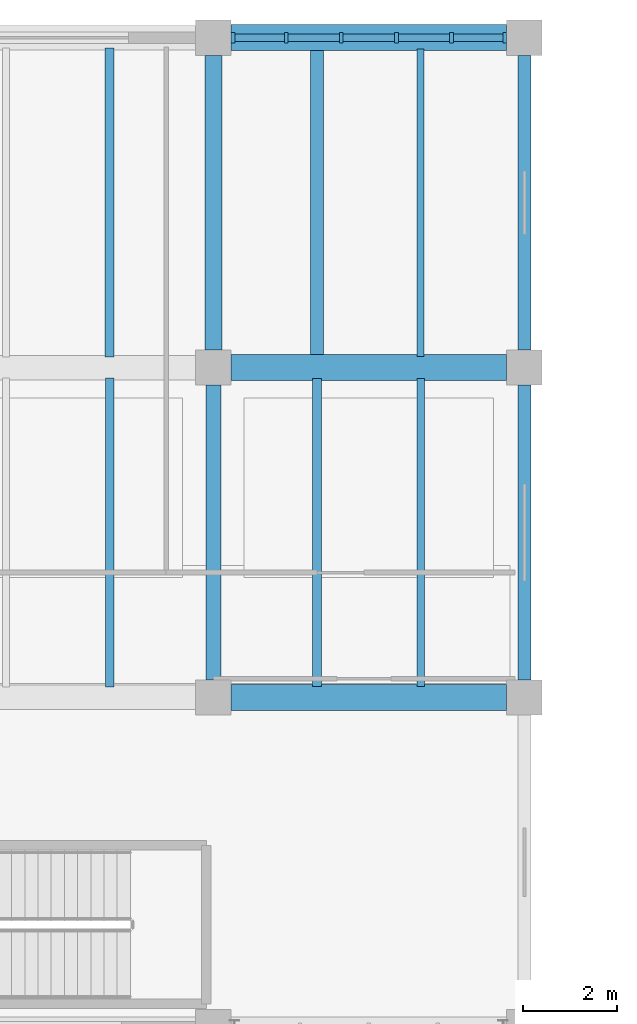
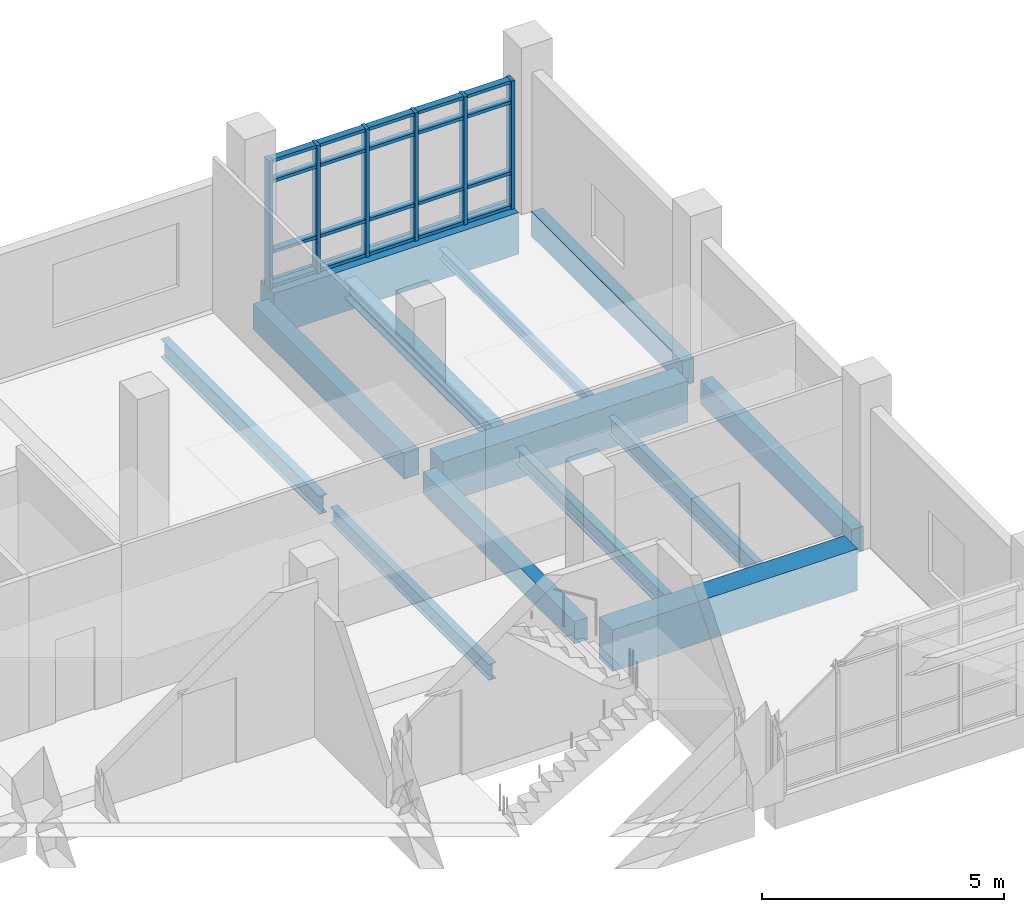
# One storey, part 61 of 92: 26 members, 13 beams, 1 element without a shape of its own.
"""IFC4 building model written with IfcOpenShell, lengths in metres."""

import ifcopenshell
import ifcopenshell.guid

model = None  # the IFC model being written
_history = None  # IfcOwnerHistory: only IFC2X3 demands one
_inside = {}  # id of a spatial element -> (the spatial element, [elements in it])
_under = {}  # id of a project, library or spatial element -> (it, [spatial elements below it])
_declared = {}  # id of a project -> (the project, [libraries it declares])
_typed = {}  # id of a type object -> (the type object, [elements of that type])
_made_of = {}  # id of a material, layer set ... -> (it, [elements and type objects made of it])


def new_model(schema):
    """Start an empty IFC model of exactly this schema.

    Asked for "IFC4X3", IfcOpenShell would pick the latest addendum, in which some entities
    have other attributes; the version numbers below select the first issue.
    IFC2X3 requires an IfcOwnerHistory on every rooted entity: one is made here for all.
    """
    global model, _history
    if schema == "IFC4X3":
        model = ifcopenshell.file(schema_version=(4, 3, 0, 0))
    else:
        model = ifcopenshell.file(schema=schema)
    _inside.clear()
    _under.clear()
    _declared.clear()
    _typed.clear()
    _made_of.clear()
    _history = None
    if model.schema == "IFC2X3":
        org = make("IfcOrganization", Name="unknown")
        user = make(
            "IfcPersonAndOrganization",
            ThePerson=make("IfcPerson", FamilyName="unknown"),
            TheOrganization=org,
        )
        app = make(
            "IfcApplication",
            ApplicationDeveloper=org,
            Version="unknown",
            ApplicationFullName="unknown",
            ApplicationIdentifier="unknown",
        )
        _history = make(
            "IfcOwnerHistory",
            OwningUser=user,
            OwningApplication=app,
            ChangeAction="ADDED",
            CreationDate=0,
        )
    return model


def make(cls, **values):
    """One entity of the class cls with the attributes given. An attribute that is None is left unset."""
    return model.create_entity(
        cls, **{name: value for name, value in values.items() if value is not None}
    )


def rooted(cls, **values):
    """An entity with a GlobalId (a new one), such as an element, a storey or a relation."""
    return make(cls, GlobalId=ifcopenshell.guid.new(), OwnerHistory=_history, **values)


def si_unit(unit_type, name, prefix=None):
    """IfcSIUnit, for example si_unit("LENGTHUNIT", "METRE", prefix="MILLI")."""
    return make("IfcSIUnit", UnitType=unit_type, Prefix=prefix, Name=name)


def assignment(units):
    """IfcUnitAssignment: the units of a project."""
    return None if units is None else make("IfcUnitAssignment", Units=units)


def point(xyz):
    """IfcCartesianPoint."""
    return None if xyz is None else make("IfcCartesianPoint", Coordinates=xyz)


def direction(xyz):
    """IfcDirection."""
    return None if xyz is None else make("IfcDirection", DirectionRatios=xyz)


def frame(location, z_axis=None, x_axis=None):
    """IfcAxis2Placement3D, a coordinate frame: its origin and axes. An axis left out is left unset."""
    return make(
        "IfcAxis2Placement3D",
        Location=point(location),
        Axis=direction(z_axis),
        RefDirection=direction(x_axis),
    )


def frame_2d(location, x_axis=None):
    """IfcAxis2Placement2D, a coordinate frame in the plane: its origin and x axis."""
    return make(
        "IfcAxis2Placement2D", Location=point(location), RefDirection=direction(x_axis)
    )


def origin():
    """The frame at (0, 0, 0) with its axes left unset."""
    return frame((0.0, 0.0, 0.0))


def origin_2d():
    """The frame at (0, 0) in the plane with its x axis left unset."""
    return frame_2d((0.0, 0.0))


def place(relative_to, where):
    """IfcLocalPlacement: puts the frame where relative to a parent placement (None: the world)."""
    return make(
        "IfcLocalPlacement", PlacementRelTo=relative_to, RelativePlacement=where
    )


def context(
    kind, dimensions, precision=None, world=None, true_north=None, identifier=None
):
    """IfcGeometricRepresentationContext, for example the 3D "Model" context."""
    return make(
        "IfcGeometricRepresentationContext",
        ContextIdentifier=identifier,
        ContextType=kind,
        CoordinateSpaceDimension=dimensions,
        Precision=precision,
        WorldCoordinateSystem=world,
        TrueNorth=true_north,
    )


def subcontext(parent, identifier, kind, view, scale=None):
    """IfcGeometricRepresentationSubContext, for example "Body" below "Model"."""
    return make(
        "IfcGeometricRepresentationSubContext",
        ContextIdentifier=identifier,
        ContextType=kind,
        ParentContext=parent,
        TargetScale=scale,
        TargetView=view,
    )


def project(units=None, contexts=None):
    """IfcProject with its units and contexts."""
    return rooted(
        "IfcProject",
        Name="project",
        RepresentationContexts=contexts,
        UnitsInContext=assignment(units),
    )


def spatial(cls, under=None, at=None, **own):
    """A site, building, storey or space (cls), placed at a placement, below another one or the project."""
    s = rooted(cls, ObjectPlacement=at, **own)
    if under is not None:
        _under.setdefault(under.id(), (under, []))[1].append(s)
    return s


def profile(cls, at=None, kind="AREA", **sizes):
    """A parametric profile (cls). Its sizes go by their IFC names, for example OverallWidth=200.0."""
    return make(cls, ProfileType=kind, Position=at, **sizes)


def rectangle(**sizes):
    """IfcRectangleProfileDef."""
    return profile("IfcRectangleProfileDef", **sizes)


def i_section(**sizes):
    """IfcIShapeProfileDef."""
    return profile("IfcIShapeProfileDef", **sizes)


def extrude(swept, where, along, depth):
    """IfcExtrudedAreaSolid: the profile swept, set in the frame where, extruded along a direction by depth."""
    return make(
        "IfcExtrudedAreaSolid",
        SweptArea=swept,
        Position=where,
        ExtrudedDirection=direction(along),
        Depth=depth,
    )


def shape(context_of_items, identifier, shape_type, items):
    """IfcShapeRepresentation: the items that make up one representation, for example the "Body"."""
    return make(
        "IfcShapeRepresentation",
        ContextOfItems=context_of_items,
        RepresentationIdentifier=identifier,
        RepresentationType=shape_type,
        Items=items,
    )


def material(Name=None, Category=None):
    """IfcMaterial."""
    return make("IfcMaterial", Name=Name, Category=Category)


def material_profile(
    of_material, cross_section, Name=None, Category=None, Priority=None
):
    """IfcMaterialProfile: a cross section and its material."""
    return make(
        "IfcMaterialProfile",
        Name=Name,
        Material=of_material,
        Profile=cross_section,
        Priority=Priority,
        Category=Category,
    )


def profile_set(profiles, Name=None, composite=None):
    """IfcMaterialProfileSet."""
    return make(
        "IfcMaterialProfileSet",
        Name=Name,
        MaterialProfiles=profiles,
        CompositeProfile=composite,
    )


def made_of(thing, what):
    """Note that an element or type object is made of a material, layer set ...; save() writes the relation."""
    if what is not None:
        _made_of.setdefault(what.id(), (what, []))[1].append(thing)
    return thing


def type_object(cls, material=None, **own):
    """A type object (cls), such as IfcWallType, which elements share."""
    return made_of(rooted(cls, **own), material)


def element(
    cls,
    number,
    at=None,
    inside=None,
    cuts=None,
    type_object=None,
    material=None,
    context=None,
    identifier="Body",
    shape_type=None,
    held_by="IfcProductDefinitionShape",
    body=None,
    shapes=None,
    **own,
):
    """One element of the class cls, such as IfcWall. Its Tag is "e" and its number.

    at: its placement. inside: the storey or other place that contains it. cuts: it is an
    opening in that element (IfcRelVoidsElement). A single representation is given by context,
    identifier, shape_type and body (its items); several are given by shapes. held_by: the class
    of the entity that holds the representations. save() writes the other relations.
    """
    e = rooted(cls, Tag="e%d" % number, ObjectPlacement=at, **own)
    if body is not None:
        shapes = [shape(context, identifier, shape_type, body)]
    if shapes is not None:
        e.Representation = make(held_by, Representations=shapes)
    if inside is not None:
        _inside.setdefault(inside.id(), (inside, []))[1].append(e)
    if cuts is not None:
        rooted(
            "IfcRelVoidsElement", RelatingBuildingElement=cuts, RelatedOpeningElement=e
        )
    if type_object is not None:
        _typed.setdefault(type_object.id(), (type_object, []))[1].append(e)
    return made_of(e, material)


def aggregate(whole, parts):
    """IfcRelAggregates: a whole, such as a stair, and the parts it consists of."""
    return rooted("IfcRelAggregates", RelatingObject=whole, RelatedObjects=parts)


def save(model, path):
    """Write the relations noted so far, then the file.

    IfcRelAggregates (storeys below a building ...), IfcRelContainedInSpatialStructure (elements
    in a storey), IfcRelDefinesByType, IfcRelAssociatesMaterial and IfcRelDeclares: one each for
    every whole, place, type object, material and project.
    """
    for whole, parts in _under.values():
        aggregate(whole, parts)
    for where, things in _inside.values():
        rooted(
            "IfcRelContainedInSpatialStructure",
            RelatedElements=things,
            RelatingStructure=where,
        )
    for kind, things in _typed.values():
        rooted("IfcRelDefinesByType", RelatedObjects=things, RelatingType=kind)
    for what, things in _made_of.values():
        rooted("IfcRelAssociatesMaterial", RelatedObjects=things, RelatingMaterial=what)
    for by, libraries in _declared.values():
        rooted("IfcRelDeclares", RelatingContext=by, RelatedDefinitions=libraries)
    model.write(path)


model = new_model("IFC4")

# Units and contexts
model_context = context("Model", 3, precision=1e-05, world=origin(), true_north=direction((0.0, 1.0)))
body_context = subcontext(model_context, "Body", "Model", "MODEL_VIEW")
ifc_project = project(units=[si_unit("LENGTHUNIT", "METRE"), si_unit("AREAUNIT", "SQUARE_METRE"), si_unit("VOLUMEUNIT", "CUBIC_METRE"), si_unit("PLANEANGLEUNIT", "RADIAN"), si_unit("MASSUNIT", "GRAM", prefix="KILO")], contexts=[model_context])

# Site, building, storey
site_placement = place(None, origin())
site = spatial("IfcSite", under=ifc_project, at=site_placement, CompositionType="ELEMENT")
building_placement = place(site_placement, origin())
building = spatial("IfcBuilding", under=site, at=building_placement, Name="Ciguamira Faculty of Natural Sciences", CompositionType="ELEMENT")
storey_placement = place(building_placement, frame((0.0, 0.0, 16.800048828125)))
storey = spatial("IfcBuildingStorey", under=building, at=storey_placement, Name="L04", CompositionType="ELEMENT", Elevation=16.800048828125)

# Curtain wall, members
ifc_material_1 = material(Name="Anodized aluminium curtain wall", Category="aluminium")
curtain_wall_type = type_object("IfcCurtainWallType", Name="CurtainWall_CW-09", PredefinedType="USERDEFINED", material=ifc_material_1)
curtain_wall_placement = place(storey_placement, origin())
curtain_wall = element("IfcCurtainWall", 1, at=curtain_wall_placement, inside=storey, type_object=curtain_wall_type, Name="L04 unitised curtain wall 0129", ObjectType="UNITISED CURTAIN WALL", PredefinedType="USERDEFINED")
ifc_material_2 = material(Name="Anodized aluminium mullion", Category="aluminium")
ifc_material_profile_1 = material_profile(ifc_material_2, rectangle(XDim=0.080078125, YDim=0.219970703125, at=origin_2d()), Name="ALU-MUL-80X220")
ifc_profile_set_1 = profile_set([ifc_material_profile_1], Name="Anodized aluminium mullion")
member_type_1 = type_object("IfcMemberType", Name="CWMullion_CWM-03", PredefinedType="MULLION", material=ifc_profile_set_1)
member_1_placement = place(storey_placement, frame((103.9150390625, 115.0, 0.0), z_axis=(0.0, 0.0, 1.0), x_axis=(1.0, 0.0, 0.0)))
member_1 = element("IfcMember", 2, at=member_1_placement, type_object=member_type_1, Name="CW-09 mullion 1", PredefinedType="MULLION", context=body_context, shape_type="SweptSolid", body=[
    extrude(rectangle(XDim=0.080078125, YDim=0.219970703125, at=origin_2d()), origin(), (0.0, 0.0, 1.0), 3.23486328125),
])
member_2_placement = place(storey_placement, frame((105.044921875, 115.0, 0.0), z_axis=(0.0, 0.0, 1.0), x_axis=(1.0, 0.0, 0.0)))
member_2 = element("IfcMember", 3, at=member_2_placement, type_object=member_type_1, Name="CW-09 mullion 2", PredefinedType="MULLION", context=body_context, shape_type="SweptSolid", body=[
    extrude(rectangle(XDim=0.080078125, YDim=0.219970703125, at=origin_2d()), origin(), (0.0, 0.0, 1.0), 3.23486328125),
])
member_3_placement = place(storey_placement, frame((106.215087890625, 115.0, 0.0), z_axis=(0.0, 0.0, 1.0), x_axis=(1.0, 0.0, 0.0)))
member_3 = element("IfcMember", 4, at=member_3_placement, type_object=member_type_1, Name="CW-09 mullion 3", PredefinedType="MULLION", context=body_context, shape_type="SweptSolid", body=[
    extrude(rectangle(XDim=0.080078125, YDim=0.219970703125, at=origin_2d()), origin(), (0.0, 0.0, 1.0), 3.23486328125),
])
member_4_placement = place(storey_placement, frame((107.385009765625, 115.0, 0.0), z_axis=(0.0, 0.0, 1.0), x_axis=(1.0, 0.0, 0.0)))
member_4 = element("IfcMember", 5, at=member_4_placement, type_object=member_type_1, Name="CW-09 mullion 4", PredefinedType="MULLION", context=body_context, shape_type="SweptSolid", body=[
    extrude(rectangle(XDim=0.080078125, YDim=0.219970703125, at=origin_2d()), origin(), (0.0, 0.0, 1.0), 3.23486328125),
])
member_5_placement = place(storey_placement, frame((108.554931640625, 115.0, 0.0), z_axis=(0.0, 0.0, 1.0), x_axis=(1.0, 0.0, 0.0)))
member_5 = element("IfcMember", 6, at=member_5_placement, type_object=member_type_1, Name="CW-09 mullion 5", PredefinedType="MULLION", context=body_context, shape_type="SweptSolid", body=[
    extrude(rectangle(XDim=0.080078125, YDim=0.219970703125, at=origin_2d()), origin(), (0.0, 0.0, 1.0), 3.23486328125),
])
member_6_placement = place(storey_placement, frame((109.68505859375, 115.0, 0.0), z_axis=(0.0, 0.0, 1.0), x_axis=(1.0, 0.0, 0.0)))
member_6 = element("IfcMember", 7, at=member_6_placement, type_object=member_type_1, Name="CW-09 mullion 6", PredefinedType="MULLION", context=body_context, shape_type="SweptSolid", body=[
    extrude(rectangle(XDim=0.080078125, YDim=0.219970703125, at=origin_2d()), origin(), (0.0, 0.0, 1.0), 3.23486328125),
])
ifc_material_3 = material(Name="Anodized aluminium transom", Category="aluminium")
ifc_material_profile_2 = material_profile(ifc_material_3, rectangle(XDim=0.080078125, YDim=0.159912109375, at=origin_2d()), Name="ALU-TRN-80X160")
ifc_profile_set_2 = profile_set([ifc_material_profile_2], Name="Anodized aluminium transom")
member_type_2 = type_object("IfcMemberType", Name="CWTransom_CWT-03", PredefinedType="USERDEFINED", material=ifc_profile_set_2)
member_7_placement = place(storey_placement, frame((103.955078125, 115.0, 0.0400390625), z_axis=(1.0, 0.0, 0.0), x_axis=(0.0, 0.0, 1.0)))
member_7 = element("IfcMember", 8, at=member_7_placement, type_object=member_type_2, Name="CW-09 transom 1.1", ObjectType="TRANSOM", PredefinedType="USERDEFINED", context=body_context, shape_type="SweptSolid", body=[
    extrude(rectangle(XDim=0.080078125, YDim=0.159912109375, at=origin_2d()), origin(), (0.0, 0.0, 1.0), 1.0498046875),
])
member_8_placement = place(storey_placement, frame((103.955078125, 115.0, 0.89990234375), z_axis=(1.0, 0.0, 0.0), x_axis=(0.0, 0.0, 1.0)))
member_8 = element("IfcMember", 9, at=member_8_placement, type_object=member_type_2, Name="CW-09 transom 1.2", ObjectType="TRANSOM", PredefinedType="USERDEFINED", context=body_context, shape_type="SweptSolid", body=[
    extrude(rectangle(XDim=0.080078125, YDim=0.159912109375, at=origin_2d()), origin(), (0.0, 0.0, 1.0), 1.0498046875),
])
member_9_placement = place(storey_placement, frame((103.955078125, 115.0, 2.68505859375), z_axis=(1.0, 0.0, 0.0), x_axis=(0.0, 0.0, 1.0)))
member_9 = element("IfcMember", 10, at=member_9_placement, type_object=member_type_2, Name="CW-09 transom 1.3", ObjectType="TRANSOM", PredefinedType="USERDEFINED", context=body_context, shape_type="SweptSolid", body=[
    extrude(rectangle(XDim=0.080078125, YDim=0.159912109375, at=origin_2d()), origin(), (0.0, 0.0, 1.0), 1.0498046875),
])
member_10_placement = place(storey_placement, frame((103.955078125, 115.0, 3.195068359375), z_axis=(1.0, 0.0, 0.0), x_axis=(0.0, 0.0, 1.0)))
member_10 = element("IfcMember", 11, at=member_10_placement, type_object=member_type_2, Name="CW-09 transom 1.4", ObjectType="TRANSOM", PredefinedType="USERDEFINED", context=body_context, shape_type="SweptSolid", body=[
    extrude(rectangle(XDim=0.080078125, YDim=0.159912109375, at=origin_2d()), origin(), (0.0, 0.0, 1.0), 1.0498046875),
])
member_11_placement = place(storey_placement, frame((105.0849609375, 115.0, 0.0400390625), z_axis=(1.0, 0.0, 0.0), x_axis=(0.0, 0.0, 1.0)))
member_11 = element("IfcMember", 12, at=member_11_placement, type_object=member_type_2, Name="CW-09 transom 2.1", ObjectType="TRANSOM", PredefinedType="USERDEFINED", context=body_context, shape_type="SweptSolid", body=[
    extrude(rectangle(XDim=0.080078125, YDim=0.159912109375, at=origin_2d()), origin(), (0.0, 0.0, 1.0), 1.090087890625),
])
member_12_placement = place(storey_placement, frame((105.0849609375, 115.0, 0.89990234375), z_axis=(1.0, 0.0, 0.0), x_axis=(0.0, 0.0, 1.0)))
member_12 = element("IfcMember", 13, at=member_12_placement, type_object=member_type_2, Name="CW-09 transom 2.2", ObjectType="TRANSOM", PredefinedType="USERDEFINED", context=body_context, shape_type="SweptSolid", body=[
    extrude(rectangle(XDim=0.080078125, YDim=0.159912109375, at=origin_2d()), origin(), (0.0, 0.0, 1.0), 1.090087890625),
])
member_13_placement = place(storey_placement, frame((105.0849609375, 115.0, 2.68505859375), z_axis=(1.0, 0.0, 0.0), x_axis=(0.0, 0.0, 1.0)))
member_13 = element("IfcMember", 14, at=member_13_placement, type_object=member_type_2, Name="CW-09 transom 2.3", ObjectType="TRANSOM", PredefinedType="USERDEFINED", context=body_context, shape_type="SweptSolid", body=[
    extrude(rectangle(XDim=0.080078125, YDim=0.159912109375, at=origin_2d()), origin(), (0.0, 0.0, 1.0), 1.090087890625),
])
member_14_placement = place(storey_placement, frame((105.0849609375, 115.0, 3.195068359375), z_axis=(1.0, 0.0, 0.0), x_axis=(0.0, 0.0, 1.0)))
member_14 = element("IfcMember", 15, at=member_14_placement, type_object=member_type_2, Name="CW-09 transom 2.4", ObjectType="TRANSOM", PredefinedType="USERDEFINED", context=body_context, shape_type="SweptSolid", body=[
    extrude(rectangle(XDim=0.080078125, YDim=0.159912109375, at=origin_2d()), origin(), (0.0, 0.0, 1.0), 1.090087890625),
])
member_15_placement = place(storey_placement, frame((106.2548828125, 115.0, 0.0400390625), z_axis=(1.0, 0.0, 0.0), x_axis=(0.0, 0.0, 1.0)))
member_15 = element("IfcMember", 16, at=member_15_placement, type_object=member_type_2, Name="CW-09 transom 3.1", ObjectType="TRANSOM", PredefinedType="USERDEFINED", context=body_context, shape_type="SweptSolid", body=[
    extrude(rectangle(XDim=0.080078125, YDim=0.159912109375, at=origin_2d()), origin(), (0.0, 0.0, 1.0), 1.090087890625),
])
member_16_placement = place(storey_placement, frame((106.2548828125, 115.0, 0.89990234375), z_axis=(1.0, 0.0, 0.0), x_axis=(0.0, 0.0, 1.0)))
member_16 = element("IfcMember", 17, at=member_16_placement, type_object=member_type_2, Name="CW-09 transom 3.2", ObjectType="TRANSOM", PredefinedType="USERDEFINED", context=body_context, shape_type="SweptSolid", body=[
    extrude(rectangle(XDim=0.080078125, YDim=0.159912109375, at=origin_2d()), origin(), (0.0, 0.0, 1.0), 1.090087890625),
])
member_17_placement = place(storey_placement, frame((106.2548828125, 115.0, 2.68505859375), z_axis=(1.0, 0.0, 0.0), x_axis=(0.0, 0.0, 1.0)))
member_17 = element("IfcMember", 18, at=member_17_placement, type_object=member_type_2, Name="CW-09 transom 3.3", ObjectType="TRANSOM", PredefinedType="USERDEFINED", context=body_context, shape_type="SweptSolid", body=[
    extrude(rectangle(XDim=0.080078125, YDim=0.159912109375, at=origin_2d()), origin(), (0.0, 0.0, 1.0), 1.090087890625),
])
member_18_placement = place(storey_placement, frame((106.2548828125, 115.0, 3.195068359375), z_axis=(1.0, 0.0, 0.0), x_axis=(0.0, 0.0, 1.0)))
member_18 = element("IfcMember", 19, at=member_18_placement, type_object=member_type_2, Name="CW-09 transom 3.4", ObjectType="TRANSOM", PredefinedType="USERDEFINED", context=body_context, shape_type="SweptSolid", body=[
    extrude(rectangle(XDim=0.080078125, YDim=0.159912109375, at=origin_2d()), origin(), (0.0, 0.0, 1.0), 1.090087890625),
])
member_19_placement = place(storey_placement, frame((107.425048828125, 115.0, 0.0400390625), z_axis=(1.0, 0.0, 0.0), x_axis=(0.0, 0.0, 1.0)))
member_19 = element("IfcMember", 20, at=member_19_placement, type_object=member_type_2, Name="CW-09 transom 4.1", ObjectType="TRANSOM", PredefinedType="USERDEFINED", context=body_context, shape_type="SweptSolid", body=[
    extrude(rectangle(XDim=0.080078125, YDim=0.159912109375, at=origin_2d()), origin(), (0.0, 0.0, 1.0), 1.08984375),
])
member_20_placement = place(storey_placement, frame((107.425048828125, 115.0, 0.89990234375), z_axis=(1.0, 0.0, 0.0), x_axis=(0.0, 0.0, 1.0)))
member_20 = element("IfcMember", 21, at=member_20_placement, type_object=member_type_2, Name="CW-09 transom 4.2", ObjectType="TRANSOM", PredefinedType="USERDEFINED", context=body_context, shape_type="SweptSolid", body=[
    extrude(rectangle(XDim=0.080078125, YDim=0.159912109375, at=origin_2d()), origin(), (0.0, 0.0, 1.0), 1.08984375),
])
member_21_placement = place(storey_placement, frame((107.425048828125, 115.0, 2.68505859375), z_axis=(1.0, 0.0, 0.0), x_axis=(0.0, 0.0, 1.0)))
member_21 = element("IfcMember", 22, at=member_21_placement, type_object=member_type_2, Name="CW-09 transom 4.3", ObjectType="TRANSOM", PredefinedType="USERDEFINED", context=body_context, shape_type="SweptSolid", body=[
    extrude(rectangle(XDim=0.080078125, YDim=0.159912109375, at=origin_2d()), origin(), (0.0, 0.0, 1.0), 1.08984375),
])
member_22_placement = place(storey_placement, frame((107.425048828125, 115.0, 3.195068359375), z_axis=(1.0, 0.0, 0.0), x_axis=(0.0, 0.0, 1.0)))
member_22 = element("IfcMember", 23, at=member_22_placement, type_object=member_type_2, Name="CW-09 transom 4.4", ObjectType="TRANSOM", PredefinedType="USERDEFINED", context=body_context, shape_type="SweptSolid", body=[
    extrude(rectangle(XDim=0.080078125, YDim=0.159912109375, at=origin_2d()), origin(), (0.0, 0.0, 1.0), 1.08984375),
])
member_23_placement = place(storey_placement, frame((108.594970703125, 115.0, 0.0400390625), z_axis=(1.0, 0.0, 0.0), x_axis=(0.0, 0.0, 1.0)))
member_23 = element("IfcMember", 24, at=member_23_placement, type_object=member_type_2, Name="CW-09 transom 5.1", ObjectType="TRANSOM", PredefinedType="USERDEFINED", context=body_context, shape_type="SweptSolid", body=[
    extrude(rectangle(XDim=0.080078125, YDim=0.159912109375, at=origin_2d()), origin(), (0.0, 0.0, 1.0), 1.050048828125),
])
member_24_placement = place(storey_placement, frame((108.594970703125, 115.0, 0.89990234375), z_axis=(1.0, 0.0, 0.0), x_axis=(0.0, 0.0, 1.0)))
member_24 = element("IfcMember", 25, at=member_24_placement, type_object=member_type_2, Name="CW-09 transom 5.2", ObjectType="TRANSOM", PredefinedType="USERDEFINED", context=body_context, shape_type="SweptSolid", body=[
    extrude(rectangle(XDim=0.080078125, YDim=0.159912109375, at=origin_2d()), origin(), (0.0, 0.0, 1.0), 1.050048828125),
])
member_25_placement = place(storey_placement, frame((108.594970703125, 115.0, 2.68505859375), z_axis=(1.0, 0.0, 0.0), x_axis=(0.0, 0.0, 1.0)))
member_25 = element("IfcMember", 26, at=member_25_placement, type_object=member_type_2, Name="CW-09 transom 5.3", ObjectType="TRANSOM", PredefinedType="USERDEFINED", context=body_context, shape_type="SweptSolid", body=[
    extrude(rectangle(XDim=0.080078125, YDim=0.159912109375, at=origin_2d()), origin(), (0.0, 0.0, 1.0), 1.050048828125),
])
member_26_placement = place(storey_placement, frame((108.594970703125, 115.0, 3.195068359375), z_axis=(1.0, 0.0, 0.0), x_axis=(0.0, 0.0, 1.0)))
member_26 = element("IfcMember", 27, at=member_26_placement, type_object=member_type_2, Name="CW-09 transom 5.4", ObjectType="TRANSOM", PredefinedType="USERDEFINED", context=body_context, shape_type="SweptSolid", body=[
    extrude(rectangle(XDim=0.080078125, YDim=0.159912109375, at=origin_2d()), origin(), (0.0, 0.0, 1.0), 1.050048828125),
])
aggregate(curtain_wall, [member_1, member_2, member_3, member_4, member_5, member_6, member_7, member_8, member_9, member_10, member_11, member_12, member_13, member_14, member_15, member_16, member_17, member_18, member_19, member_20, member_21, member_22, member_23, member_24, member_25, member_26])

# Beams
ifc_material_4 = material(Name="Concrete C40/50", Category="concrete")
ifc_material_profile_3 = material_profile(ifc_material_4, rectangle(XDim=0.550048828125, YDim=1.050048828125, at=origin_2d()), Name="RC-BM-550X1050")
ifc_profile_set_3 = profile_set([ifc_material_profile_3], Name="Concrete C40/50")
beam_type_1 = type_object("IfcBeamType", Name="RCBeam_BG-01_RC-BM-550X1050", PredefinedType="BEAM", material=ifc_profile_set_3)
for number, where, z_axis, x_axis, name in (
    (28, (103.875, 101.0, -0.525146484375), (1.0, 0.0, 0.0), (0.0, 1.0, 0.0), "L04 RC girder EW-1369"),
    (29, (103.875, 108.0, -0.525146484375), (1.0, 0.0, 0.0), (0.0, 1.0, 0.0), "L04 RC girder EW-1377"),
    (30, (103.875, 115.0, -0.525146484375), (1.0, 0.0, 0.0), (0.0, 1.0, 0.0), "L04 RC girder EW-1385"),
):
    element("IfcBeam", number, at=place(storey_placement, frame(where, z_axis=z_axis, x_axis=x_axis)), inside=storey, type_object=beam_type_1, Name=name, PredefinedType="BEAM", context=body_context, shape_type="SweptSolid", body=[
        extrude(rectangle(XDim=0.550048828125, YDim=1.050048828125, at=origin_2d()), origin(), (0.0, 0.0, 1.0), 5.85009765625),
    ])
ifc_material_profile_4 = material_profile(ifc_material_4, rectangle(XDim=0.360107421875, YDim=0.639892578125, at=origin_2d()), Name="RC-BM-360X640")
ifc_profile_set_4 = profile_set([ifc_material_profile_4], Name="Concrete C40/50")
beam_type_2 = type_object("IfcBeamType", Name="RCBeam_BG-10_RC-BM-360X640", PredefinedType="BEAM", material=ifc_profile_set_4)
beam_1_placement = place(storey_placement, frame((103.5, 108.375, -0.320068359375), z_axis=(0.0, 1.0, 0.0), x_axis=(-1.0, 0.0, 0.0)))
element("IfcBeam", 31, at=beam_1_placement, inside=storey, type_object=beam_type_2, Name="L04 girder NS-1428", PredefinedType="BEAM", context=body_context, shape_type="SweptSolid", body=[
    extrude(rectangle(XDim=0.360107421875, YDim=0.639892578125, at=origin_2d()), origin(), (0.0, 0.0, 1.0), 6.25),
])
ifc_material_profile_5 = material_profile(ifc_material_4, rectangle(XDim=0.320068359375, YDim=0.56005859375, at=origin_2d()), Name="RC-BM-320X560")
ifc_profile_set_5 = profile_set([ifc_material_profile_5], Name="Concrete C40/50")
beam_type_3 = type_object("IfcBeamType", Name="RCBeam_BG-12_RC-BM-320X560", PredefinedType="BEAM", material=ifc_profile_set_5)
beam_2_placement = place(storey_placement, frame((103.5, 101.375, -0.280029296875), z_axis=(0.0, 1.0, 0.0), x_axis=(-1.0, 0.0, 0.0)))
element("IfcBeam", 32, at=beam_2_placement, inside=storey, type_object=beam_type_3, Name="L04 girder NS-1427", PredefinedType="BEAM", context=body_context, shape_type="SweptSolid", body=[
    extrude(rectangle(XDim=0.320068359375, YDim=0.56005859375, at=origin_2d()), origin(), (0.0, 0.0, 1.0), 6.25),
])
ifc_material_5 = material(Name="Precast concrete C40/50", Category="concrete")
ifc_material_profile_6 = material_profile(ifc_material_5, rectangle(XDim=0.280029296875, YDim=0.6201171875, at=origin_2d()), Name="RC-SP-280X620")
ifc_profile_set_6 = profile_set([ifc_material_profile_6], Name="Precast concrete C40/50")
beam_type_4 = type_object("IfcBeamType", Name="RCBeam_SP-01_RC-SP-280X620", PredefinedType="SPANDREL", material=ifc_profile_set_6)
for number, where, z_axis, x_axis, name in (
    (33, (110.10009765625, 101.375, -0.31005859375), (0.0, 1.0, 0.0), (-1.0, 0.0, 0.0), "L04 girder NS-1433"),
    (34, (110.10009765625, 108.375, -0.31005859375), (0.0, 1.0, 0.0), (-1.0, 0.0, 0.0), "L04 girder NS-1434"),
):
    element("IfcBeam", number, at=place(storey_placement, frame(where, z_axis=z_axis, x_axis=x_axis)), inside=storey, type_object=beam_type_4, Name=name, PredefinedType="SPANDREL", context=body_context, shape_type="SweptSolid", body=[
        extrude(rectangle(XDim=0.280029296875, YDim=0.6201171875, at=origin_2d()), origin(), (0.0, 0.0, 1.0), 6.25),
    ])
ifc_material_6 = material(Name="Steel ASTM A992 Grade 50", Category="steel")
ifc_material_profile_7 = material_profile(ifc_material_6, i_section(OverallWidth=0.14599609375, OverallDepth=0.259033203125, WebThickness=0.006103515625, FlangeThickness=0.009033203125, at=origin_2d()), Name="W10X22")
ifc_profile_set_7 = profile_set([ifc_material_profile_7], Name="Steel ASTM A992 Grade 50")
beam_type_5 = type_object("IfcBeamType", Name="SteelJoist_SJ-01_W10X22", PredefinedType="JOIST", material=ifc_profile_set_7)
beam_3_placement = place(storey_placement, frame((107.89990234375, 108.235107421875, -0.36962890625), z_axis=(0.0, 1.0, 0.0), x_axis=(-1.0, 0.0, 0.0)))
element("IfcBeam", 35, at=beam_3_placement, inside=storey, type_object=beam_type_5, Name="L04 composite steel joist 01331", PredefinedType="JOIST", context=body_context, shape_type="SweptSolid", body=[
    extrude(i_section(OverallWidth=0.14599609375, OverallDepth=0.259033203125, WebThickness=0.006103515625, FlangeThickness=0.009033203125, at=origin_2d()), origin(), (0.0, 0.0, 1.0), 6.52978515625),
])
ifc_material_profile_8 = material_profile(ifc_material_6, i_section(OverallWidth=0.177490234375, OverallDepth=0.40380859375, WebThickness=0.007568359375, FlangeThickness=0.010986328125, at=origin_2d()), Name="W16X36")
ifc_profile_set_8 = profile_set([ifc_material_profile_8], Name="Steel ASTM A992 Grade 50")
beam_type_6 = type_object("IfcBeamType", Name="SteelJoist_SJ-18_W16X36", PredefinedType="JOIST", material=ifc_profile_set_8)
beam_4_placement = place(storey_placement, frame((101.300048828125, 101.219970703125, -0.44189453125), z_axis=(0.0, 1.0, 0.0), x_axis=(-1.0, 0.0, 0.0)))
element("IfcBeam", 36, at=beam_4_placement, inside=storey, type_object=beam_type_6, Name="L04 composite steel joist 01319", PredefinedType="JOIST", context=body_context, shape_type="SweptSolid", body=[
    extrude(i_section(OverallWidth=0.177490234375, OverallDepth=0.40380859375, WebThickness=0.007568359375, FlangeThickness=0.010986328125, at=origin_2d()), origin(), (0.0, 0.0, 1.0), 6.56005859375),
])
ifc_material_profile_9 = material_profile(ifc_material_6, i_section(OverallWidth=0.180908203125, OverallDepth=0.41650390625, WebThickness=0.010986328125, FlangeThickness=0.01806640625, at=origin_2d()), Name="W16X57")
ifc_profile_set_9 = profile_set([ifc_material_profile_9], Name="Steel ASTM A992 Grade 50")
beam_type_7 = type_object("IfcBeamType", Name="SteelJoist_SJ-20_W16X57", PredefinedType="JOIST", material=ifc_profile_set_9)
beam_5_placement = place(storey_placement, frame((105.699951171875, 101.235107421875, -0.4482421875), z_axis=(0.0, 1.0, 0.0), x_axis=(-1.0, 0.0, 0.0)))
element("IfcBeam", 37, at=beam_5_placement, inside=storey, type_object=beam_type_7, Name="L04 composite steel joist 01328", PredefinedType="JOIST", context=body_context, shape_type="SweptSolid", body=[
    extrude(i_section(OverallWidth=0.180908203125, OverallDepth=0.41650390625, WebThickness=0.010986328125, FlangeThickness=0.01806640625, at=origin_2d()), origin(), (0.0, 0.0, 1.0), 6.52978515625),
])
ifc_material_profile_10 = material_profile(ifc_material_6, i_section(OverallWidth=0.15234375, OverallDepth=0.449462890625, WebThickness=0.007568359375, FlangeThickness=0.0107421875, at=origin_2d()), Name="W18X35")
ifc_profile_set_10 = profile_set([ifc_material_profile_10], Name="Steel ASTM A992 Grade 50")
beam_type_8 = type_object("IfcBeamType", Name="SteelJoist_SJ-21_W18X35", PredefinedType="JOIST", material=ifc_profile_set_10)
beam_6_placement = place(storey_placement, frame((107.89990234375, 101.235107421875, -0.46484375), z_axis=(0.0, 1.0, 0.0), x_axis=(-1.0, 0.0, 0.0)))
element("IfcBeam", 38, at=beam_6_placement, inside=storey, type_object=beam_type_8, Name="L04 composite steel joist 01329", PredefinedType="JOIST", context=body_context, shape_type="SweptSolid", body=[
    extrude(i_section(OverallWidth=0.15234375, OverallDepth=0.449462890625, WebThickness=0.007568359375, FlangeThickness=0.0107421875, at=origin_2d()), origin(), (0.0, 0.0, 1.0), 6.52978515625),
])
ifc_material_profile_11 = material_profile(ifc_material_6, i_section(OverallWidth=0.1904296875, OverallDepth=0.457275390625, WebThickness=0.009033203125, FlangeThickness=0.014404296875, at=origin_2d()), Name="W18X50")
ifc_profile_set_11 = profile_set([ifc_material_profile_11], Name="Steel ASTM A992 Grade 50")
beam_type_9 = type_object("IfcBeamType", Name="SteelJoist_SJ-23_W18X50", PredefinedType="JOIST", material=ifc_profile_set_11)
beam_7_placement = place(storey_placement, frame((101.300048828125, 108.219970703125, -0.46875), z_axis=(0.0, 1.0, 0.0), x_axis=(-1.0, 0.0, 0.0)))
element("IfcBeam", 39, at=beam_7_placement, inside=storey, type_object=beam_type_9, Name="L04 composite steel joist 01321", PredefinedType="JOIST", context=body_context, shape_type="SweptSolid", body=[
    extrude(i_section(OverallWidth=0.1904296875, OverallDepth=0.457275390625, WebThickness=0.009033203125, FlangeThickness=0.014404296875, at=origin_2d()), origin(), (0.0, 0.0, 1.0), 6.56005859375),
])
ifc_material_profile_12 = material_profile(ifc_material_6, i_section(OverallWidth=0.279296875, OverallDepth=0.462158203125, WebThickness=0.0107421875, FlangeThickness=0.017333984375, at=origin_2d()), Name="W18X76")
ifc_profile_set_12 = profile_set([ifc_material_profile_12], Name="Steel ASTM A992 Grade 50")
beam_type_10 = type_object("IfcBeamType", Name="SteelJoist_SJ-25_W18X76", PredefinedType="JOIST", material=ifc_profile_set_12)
beam_8_placement = place(storey_placement, frame((105.699951171875, 108.235107421875, -0.47119140625), z_axis=(0.0, 1.0, 0.0), x_axis=(-1.0, 0.0, 0.0)))
element("IfcBeam", 40, at=beam_8_placement, inside=storey, type_object=beam_type_10, Name="L04 composite steel joist 01330", PredefinedType="JOIST", context=body_context, shape_type="SweptSolid", body=[
    extrude(i_section(OverallWidth=0.279296875, OverallDepth=0.462158203125, WebThickness=0.0107421875, FlangeThickness=0.017333984375, at=origin_2d()), origin(), (0.0, 0.0, 1.0), 6.52978515625),
])

save(model, "model.ifc")
